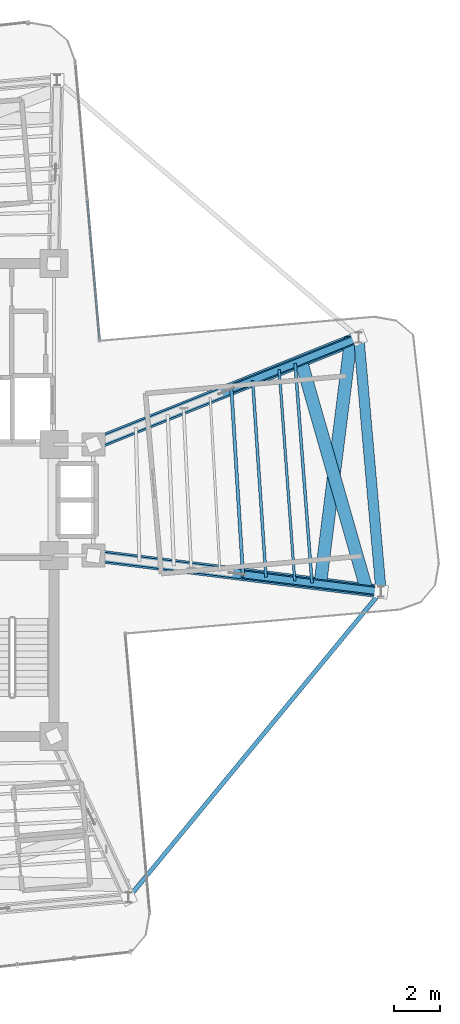
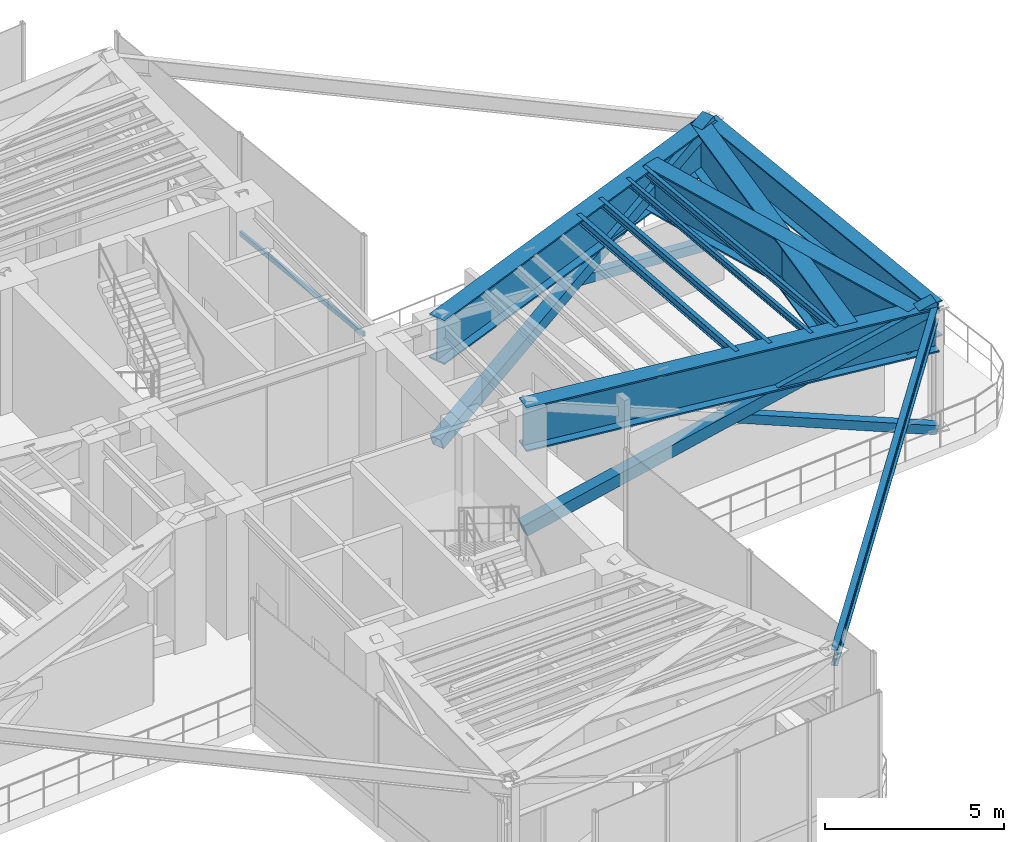
# One storey, part 8 of 17: 10 beams, 5 members, 1 element without a shape of its own.
"""IFC4 building model written with IfcOpenShell, lengths in metres."""

from ifc_helpers import new_model, si_unit, direction, frame, origin, origin_2d, place, context, subcontext, project, spatial, hollow_rectangle, i_section, extrude, source, transform, mapped, material, material_profile, profile_set, type_object, element, aggregate, save


model = new_model("IFC4")

# Units and contexts
model_context = context("Model", 3, precision=1e-05, world=origin(), true_north=direction((0.0, 1.0)))
body_context = subcontext(model_context, "Body", "Model", "MODEL_VIEW")
ifc_project = project(units=[si_unit("LENGTHUNIT", "METRE"), si_unit("AREAUNIT", "SQUARE_METRE"), si_unit("VOLUMEUNIT", "CUBIC_METRE"), si_unit("PLANEANGLEUNIT", "RADIAN"), si_unit("MASSUNIT", "GRAM", prefix="KILO")], contexts=[model_context])

# Site, building, storey
site_placement = place(None, origin())
site = spatial("IfcSite", under=ifc_project, at=site_placement, CompositionType="ELEMENT")
building_placement = place(site_placement, origin())
building = spatial("IfcBuilding", under=site, at=building_placement, Name="Sahyath Konkavel Grand Hotel", CompositionType="ELEMENT")
storey_placement = place(building_placement, frame((0.0, 0.0, 202.0)))
storey = spatial("IfcBuildingStorey", under=building, at=storey_placement, Name="L56", CompositionType="ELEMENT", Elevation=202.0)

# Beams
ifc_material_1 = material(Name="Steel E350", Category="steel")
ifc_material_profile_1 = material_profile(ifc_material_1, i_section(OverallWidth=0.139892578125, OverallDepth=0.27490234375, WebThickness=0.00634765625, FlangeThickness=0.0087890625, FilletRadius=0.012939453125, at=origin_2d()), Name="ISLB 275")
ifc_profile_set_1 = profile_set([ifc_material_profile_1], Name="Steel E350")
beam_type_1 = type_object("IfcBeamType", Name="BM-ISLB275", PredefinedType="BEAM", material=ifc_profile_set_1)
shared_shape_1 = source(origin(), body_context, "Body", "SweptSolid", [
    extrude(i_section(OverallWidth=0.139892578125, OverallDepth=0.27490234375, WebThickness=0.00634765625, FlangeThickness=0.0087890625, FilletRadius=0.012939453125, at=origin_2d()), origin(), (0.0, 0.0, 1.0), 8.017822265625),
])
beam_1_placement = place(storey_placement, frame((11.95458984375, -3.2080078125, 4.12255859375), z_axis=(-0.062179233264, 0.998064999362, 0.0), x_axis=(-0.998064999362, -0.062179233264, 0.0)))
element("IfcBeam", 1, at=beam_1_placement, inside=storey, type_object=beam_type_1, Name="L56 Secondary Floor Beam E-2", PredefinedType="BEAM", context=body_context, shape_type="MappedRepresentation", body=[
    mapped(shared_shape_1, transform((0.0, 0.0, 0.0), scale=1.0)),
])
ifc_material_profile_2 = material_profile(ifc_material_1, i_section(OverallWidth=0.125, OverallDepth=0.25, WebThickness=0.0068359375, FlangeThickness=0.012451171875, FilletRadius=0.012939453125, at=origin_2d()), Name="ISMB 250")
ifc_profile_set_2 = profile_set([ifc_material_profile_2], Name="Steel E350")
beam_type_2 = type_object("IfcBeamType", Name="BM-ISMB250", PredefinedType="BEAM", material=ifc_profile_set_2)
shared_shape_2 = source(origin(), body_context, "Body", "SweptSolid", [
    extrude(i_section(OverallWidth=0.125, OverallDepth=0.25, WebThickness=0.0068359375, FlangeThickness=0.012451171875, FilletRadius=0.012939453125, at=origin_2d()), origin(), (0.0, 0.0, 1.0), 9.508056640625),
])
beam_2_placement = place(storey_placement, frame((14.93359375, -3.580810546875, 4.135009765625), z_axis=(-0.076619921029, 0.997060373148, 0.0), x_axis=(-0.997060373148, -0.076619921029, 0.0)))
element("IfcBeam", 2, at=beam_2_placement, inside=storey, type_object=beam_type_2, Name="L56 Secondary Floor Beam E-3", PredefinedType="BEAM", context=body_context, shape_type="MappedRepresentation", body=[
    mapped(shared_shape_2, transform((0.0, 0.0, 0.0), scale=1.0)),
])
ifc_material_2 = material(Name="Steel E450", Category="steel")
ifc_material_profile_3 = material_profile(ifc_material_2, i_section(OverallWidth=0.550048828125, OverallDepth=1.5, WebThickness=0.028076171875, FlangeThickness=0.050048828125, at=origin_2d()), Name="BPG 1500x550")
ifc_profile_set_3 = profile_set([ifc_material_profile_3], Name="Steel E450")
beam_type_3 = type_object("IfcBeamType", Name="BM-BPG1500", PredefinedType="BEAM", material=ifc_profile_set_3)
shared_shape_3 = source(origin(), body_context, "Body", "SweptSolid", [
    extrude(i_section(OverallWidth=0.550048828125, OverallDepth=1.5, WebThickness=0.028076171875, FlangeThickness=0.050048828125, at=origin_2d()), origin(), (0.0, 0.0, 1.0), 12.509765625),
])
beam_3_placement = place(storey_placement, frame((5.5, -2.39990234375, 3.510009765625), z_axis=(0.992254740459, -0.124219684578, 0.0), x_axis=(0.124219684578, 0.992254740459, 0.0)))
element("IfcBeam", 3, at=beam_3_placement, inside=storey, type_object=beam_type_3, Name="L56 Setback Transfer Girder EA", PredefinedType="BEAM", context=body_context, shape_type="MappedRepresentation", body=[
    mapped(shared_shape_3, transform((0.0, 0.0, 0.0), scale=1.0)),
])
shared_shape_4 = source(origin(), body_context, "Body", "SweptSolid", [
    extrude(i_section(OverallWidth=0.550048828125, OverallDepth=1.5, WebThickness=0.028076171875, FlangeThickness=0.050048828125, at=origin_2d()), origin(), (0.0, 0.0, 1.0), 12.344970703125),
])
beam_4_placement = place(storey_placement, frame((5.5, 2.39990234375, 3.510009765625), z_axis=(0.927837014101, 0.372985891507, 0.0), x_axis=(-0.372985891507, 0.927837014101, 0.0)))
element("IfcBeam", 4, at=beam_4_placement, inside=storey, type_object=beam_type_3, Name="L56 Setback Transfer Girder EB", PredefinedType="BEAM", context=body_context, shape_type="MappedRepresentation", body=[
    mapped(shared_shape_4, transform((0.0, 0.0, 0.0), scale=1.0)),
])
shared_shape_5 = source(origin(), body_context, "Body", "SweptSolid", [
    extrude(i_section(OverallWidth=0.550048828125, OverallDepth=1.5, WebThickness=0.028076171875, FlangeThickness=0.050048828125, at=origin_2d()), origin(), (0.0, 0.0, 1.0), 10.2763671875),
])
beam_5_placement = place(storey_placement, frame((17.292236328125, -3.876220703125, 3.510009765625), z_axis=(-0.275182349095, 0.961392050491, 0.0), x_axis=(-0.961392050491, -0.275182349095, 0.0)))
element("IfcBeam", 5, at=beam_5_placement, inside=storey, type_object=beam_type_3, Name="L56 Setback Cross Transfer Girder E-1", PredefinedType="BEAM", context=body_context, shape_type="MappedRepresentation", body=[
    mapped(shared_shape_5, transform((0.0, 0.0, 0.0), scale=1.0)),
])
shared_shape_6 = source(origin(), body_context, "Body", "SweptSolid", [
    extrude(i_section(OverallWidth=0.550048828125, OverallDepth=1.5, WebThickness=0.028076171875, FlangeThickness=0.050048828125, at=origin_2d()), origin(), (0.0, 0.0, 1.0), 10.73876953125),
])
beam_6_placement = place(storey_placement, frame((15.290771484375, -3.62548828125, 3.510009765625), z_axis=(0.124199821978, 0.992257226842, 0.0), x_axis=(-0.992257226842, 0.124199821978, 0.0)))
element("IfcBeam", 6, at=beam_6_placement, inside=storey, type_object=beam_type_3, Name="L56 Setback Cross Transfer Girder E-2", PredefinedType="BEAM", context=body_context, shape_type="MappedRepresentation", body=[
    mapped(shared_shape_6, transform((0.0, 0.0, 0.0), scale=1.0)),
])
ifc_material_profile_4 = material_profile(ifc_material_2, i_section(OverallWidth=0.449951171875, OverallDepth=1.199951171875, WebThickness=0.02197265625, FlangeThickness=0.0400390625, at=origin_2d()), Name="BPG 1200x450")
ifc_profile_set_4 = profile_set([ifc_material_profile_4], Name="Steel E450")
beam_type_4 = type_object("IfcBeamType", Name="BM-BPG1200", PredefinedType="BEAM", material=ifc_profile_set_4)
shared_shape_7 = source(origin(), body_context, "Body", "SweptSolid", [
    extrude(i_section(OverallWidth=0.449951171875, OverallDepth=1.199951171875, WebThickness=0.02197265625, FlangeThickness=0.0400390625, at=origin_2d()), origin(), (0.0, 0.0, 1.0), 11.0),
])
beam_7_placement = place(storey_placement, frame((17.912841796875, -3.953857421875, 3.659912109375), z_axis=(-0.087157314015, 0.996194560622, 0.0), x_axis=(-0.996194560622, -0.087157314015, 0.0)))
element("IfcBeam", 7, at=beam_7_placement, inside=storey, type_object=beam_type_4, Name="L56 Wing Tip Edge Beam E", PredefinedType="BEAM", context=body_context, shape_type="MappedRepresentation", body=[
    mapped(shared_shape_7, transform((0.0, 0.0, 0.0), scale=1.0)),
])
ifc_material_profile_5 = material_profile(ifc_material_1, i_section(OverallWidth=0.18994140625, OverallDepth=0.550048828125, WebThickness=0.01123046875, FlangeThickness=0.019287109375, FilletRadius=0.01806640625, at=origin_2d()), Name="ISMB 550")
ifc_profile_set_5 = profile_set([ifc_material_profile_5], Name="Steel E350")
beam_type_5 = type_object("IfcBeamType", Name="BM-ISMB550", PredefinedType="BEAM", material=ifc_profile_set_5)
shared_shape_8 = source(origin(), body_context, "Body", "SweptSolid", [
    extrude(i_section(OverallWidth=0.18994140625, OverallDepth=0.550048828125, WebThickness=0.01123046875, FlangeThickness=0.019287109375, FilletRadius=0.01806640625, at=origin_2d()), origin(), (0.0, 0.0, 1.0), 17.112548828125),
])
beam_8_placement = place(storey_placement, frame((17.912841796875, -3.953857421875, 3.985107421875), z_axis=(-0.636437070092, -0.77132863023, 0.0), x_axis=(0.77132863023, -0.636437070092, 0.0)))
element("IfcBeam", 8, at=beam_8_placement, inside=storey, type_object=beam_type_5, Name="L56 Re-Entrant Tie Beam SE", PredefinedType="BEAM", context=body_context, shape_type="MappedRepresentation", body=[
    mapped(shared_shape_8, transform((0.0, 0.0, 0.0), scale=1.0)),
])

# Members
ifc_material_profile_6 = material_profile(ifc_material_2, hollow_rectangle(XDim=0.39990234375, YDim=0.39990234375, WallThickness=0.02001953125, at=origin_2d()), Name="SHS 400x400x20")
ifc_profile_set_6 = profile_set([ifc_material_profile_6], Name="Steel E450")
member_type_1 = type_object("IfcMemberType", Name="BR-SHS400", PredefinedType="BRACE", material=ifc_profile_set_6)
shared_shape_9 = source(origin(), body_context, "Body", "SweptSolid", [
    extrude(hollow_rectangle(XDim=0.39990234375, YDim=0.39990234375, WallThickness=0.02001953125, at=origin_2d()), origin(), (0.0, 0.0, 1.0), 13.208740234375),
])
member_1_placement = place(storey_placement, frame((5.5, -2.39990234375, 0.010009765625), z_axis=(0.939744247638, -0.117645932306, 0.320998728414), x_axis=(0.124219684578, 0.992254740459, 0.0)))
element("IfcMember", 9, at=member_1_placement, inside=storey, type_object=member_type_1, Name="L56 Core Outrigger Truss EA Continuous Diagonal 1", PredefinedType="BRACE", context=body_context, shape_type="MappedRepresentation", body=[
    mapped(shared_shape_9, transform((0.0, 0.0, 0.0), scale=1.0)),
])
ifc_material_profile_7 = material_profile(ifc_material_2, hollow_rectangle(XDim=0.300048828125, YDim=0.300048828125, WallThickness=0.01611328125, at=origin_2d()), Name="SHS 300x300x16")
ifc_profile_set_7 = profile_set([ifc_material_profile_7], Name="Steel E450")
member_type_2 = type_object("IfcMemberType", Name="BR-SHS300", PredefinedType="BRACE", material=ifc_profile_set_7)
shared_shape_10 = source(origin(), body_context, "Body", "SweptSolid", [
    extrude(hollow_rectangle(XDim=0.300048828125, YDim=0.300048828125, WallThickness=0.01611328125, at=origin_2d()), origin(), (0.0, 0.0, 1.0), 6.364501953125),
])
member_2_placement = place(storey_placement, frame((17.912841796875, -3.953857421875, 0.010009765625), z_axis=(-0.939744349799, 0.117650253932, 0.320996845421), x_axis=(-0.124224163975, -0.992254179676, 0.0)))
element("IfcMember", 10, at=member_2_placement, inside=storey, type_object=member_type_2, Name="L56 Core Outrigger Truss EA Split Lower Diagonal 2A", PredefinedType="BRACE", context=body_context, shape_type="MappedRepresentation", body=[
    mapped(shared_shape_10, transform((0.0, 0.0, 0.0), scale=1.0)),
])
shared_shape_11 = source(origin(), body_context, "Body", "SweptSolid", [
    extrude(hollow_rectangle(XDim=0.39990234375, YDim=0.39990234375, WallThickness=0.02001953125, at=origin_2d()), origin(), (0.0, 0.0, 1.0), 13.052734375),
])
member_3_placement = place(storey_placement, frame((5.5, 2.39990234375, 0.010009765625), z_axis=(0.877521372111, 0.352759252238, 0.324834036777), x_axis=(-0.372985891507, 0.927837014101, 0.0)))
element("IfcMember", 11, at=member_3_placement, inside=storey, type_object=member_type_1, Name="L56 Core Outrigger Truss EB Continuous Diagonal 1", PredefinedType="BRACE", context=body_context, shape_type="MappedRepresentation", body=[
    mapped(shared_shape_11, transform((0.0, 0.0, 0.0), scale=1.0)),
])
shared_shape_12 = source(origin(), body_context, "Body", "SweptSolid", [
    extrude(hollow_rectangle(XDim=0.300048828125, YDim=0.300048828125, WallThickness=0.01611328125, at=origin_2d()), origin(), (0.0, 0.0, 1.0), 6.286376953125),
])
member_4_placement = place(storey_placement, frame((16.9541015625, 7.00439453125, 0.010009765625), z_axis=(-0.877522771056, -0.352756774928, 0.324832947869), x_axis=(0.37298312466, -0.927838126356, 0.0)))
element("IfcMember", 12, at=member_4_placement, inside=storey, type_object=member_type_2, Name="L56 Core Outrigger Truss EB Split Lower Diagonal 2A", PredefinedType="BRACE", context=body_context, shape_type="MappedRepresentation", body=[
    mapped(shared_shape_12, transform((0.0, 0.0, 0.0), scale=1.0)),
])

# Beams
shared_shape_13 = source(origin(), body_context, "Body", "SweptSolid", [
    extrude(i_section(OverallWidth=0.125, OverallDepth=0.25, WebThickness=0.0068359375, FlangeThickness=0.012451171875, FilletRadius=0.012939453125, at=origin_2d()), origin(), (0.0, 0.0, 1.0), 8.514404296875),
])
beam_9_placement = place(storey_placement, frame((12.94775390625, -3.332275390625, 4.135009765625), z_axis=(-0.067556190537, 0.997715471024, 0.0), x_axis=(-0.997715471024, -0.067556190537, 0.0)))
element("IfcBeam", 13, at=beam_9_placement, inside=storey, type_object=beam_type_2, Name="L56 Composite Deck Sub-Beam E-4", PredefinedType="BEAM", context=body_context, shape_type="MappedRepresentation", body=[
    mapped(shared_shape_13, transform((0.0, 0.0, 0.0), scale=1.0)),
])
ifc_material_profile_8 = material_profile(ifc_material_1, i_section(OverallWidth=0.110107421875, OverallDepth=0.22509765625, WebThickness=0.006591796875, FlangeThickness=0.01171875, FilletRadius=0.011962890625, at=origin_2d()), Name="ISMB 225")
ifc_profile_set_8 = profile_set([ifc_material_profile_8], Name="Steel E350")
beam_type_6 = type_object("IfcBeamType", Name="BM-ISMB225", PredefinedType="BEAM", material=ifc_profile_set_8)
shared_shape_14 = source(origin(), body_context, "Body", "SweptSolid", [
    extrude(i_section(OverallWidth=0.110107421875, OverallDepth=0.22509765625, WebThickness=0.006591796875, FlangeThickness=0.01171875, FilletRadius=0.011962890625, at=origin_2d()), origin(), (0.0, 0.0, 1.0), 9.135498046875),
])
beam_10_placement = place(storey_placement, frame((14.18896484375, -3.48779296875, 4.1474609375), z_axis=(-0.073465127158, 0.997297786567, 0.0), x_axis=(-0.997297786567, -0.073465127158, 0.0)))
element("IfcBeam", 14, at=beam_10_placement, inside=storey, type_object=beam_type_6, Name="L56 Composite Deck Sub-Beam E-5", PredefinedType="BEAM", context=body_context, shape_type="MappedRepresentation", body=[
    mapped(shared_shape_14, transform((0.0, 0.0, 0.0), scale=1.0)),
])

# Curtain wall, member
ifc_material_3 = material(Name="Anodised Bronze Aluminium & Low-E Glazing", Category="aluminium")
curtain_wall_type = type_object("IfcCurtainWallType", Name="CW-SKYLOBBY", PredefinedType="NOTDEFINED", material=ifc_material_3)
curtain_wall_placement = place(storey_placement, origin())
curtain_wall = element("IfcCurtainWall", 15, at=curtain_wall_placement, inside=storey, type_object=curtain_wall_type, Name="L56 Unitised Curtain Wall RF8", PredefinedType="NOTDEFINED")
ifc_material_4 = material(Name="Anodised Bronze Aluminium", Category="aluminium")
ifc_material_profile_9 = material_profile(ifc_material_4, hollow_rectangle(XDim=0.080078125, YDim=0.159912109375, WallThickness=0.006103515625, at=origin_2d()), Name="RHS 160x80x6")
ifc_profile_set_9 = profile_set([ifc_material_profile_9], Name="Anodised Bronze Aluminium")
member_type_3 = type_object("IfcMemberType", Name="CW-TRN-160", PredefinedType="USERDEFINED", material=ifc_profile_set_9)
shared_shape_15 = source(origin(), body_context, "Body", "SweptSolid", [
    extrude(hollow_rectangle(XDim=0.080078125, YDim=0.159912109375, WallThickness=0.006103515625, at=origin_2d()), origin(), (0.0, 0.0, 1.0), 6.010009765625),
])
member_5_placement = place(storey_placement, frame((5.768798828125, 6.919189453125, 0.85009765625), z_axis=(-0.087136210597, 0.996196406741, 0.0), x_axis=(-0.996196406741, -0.087136210597, 0.0)))
member_5 = element("IfcMember", 16, at=member_5_placement, type_object=member_type_3, Name="L56 Curtain Wall Transom RF8-0-spandrel", ObjectType="TRANSOM", PredefinedType="USERDEFINED", context=body_context, shape_type="MappedRepresentation", body=[
    mapped(shared_shape_15, transform((0.0, 0.0, 0.0), scale=1.0)),
])
aggregate(curtain_wall, [member_5])

save(model, "model.ifc")
